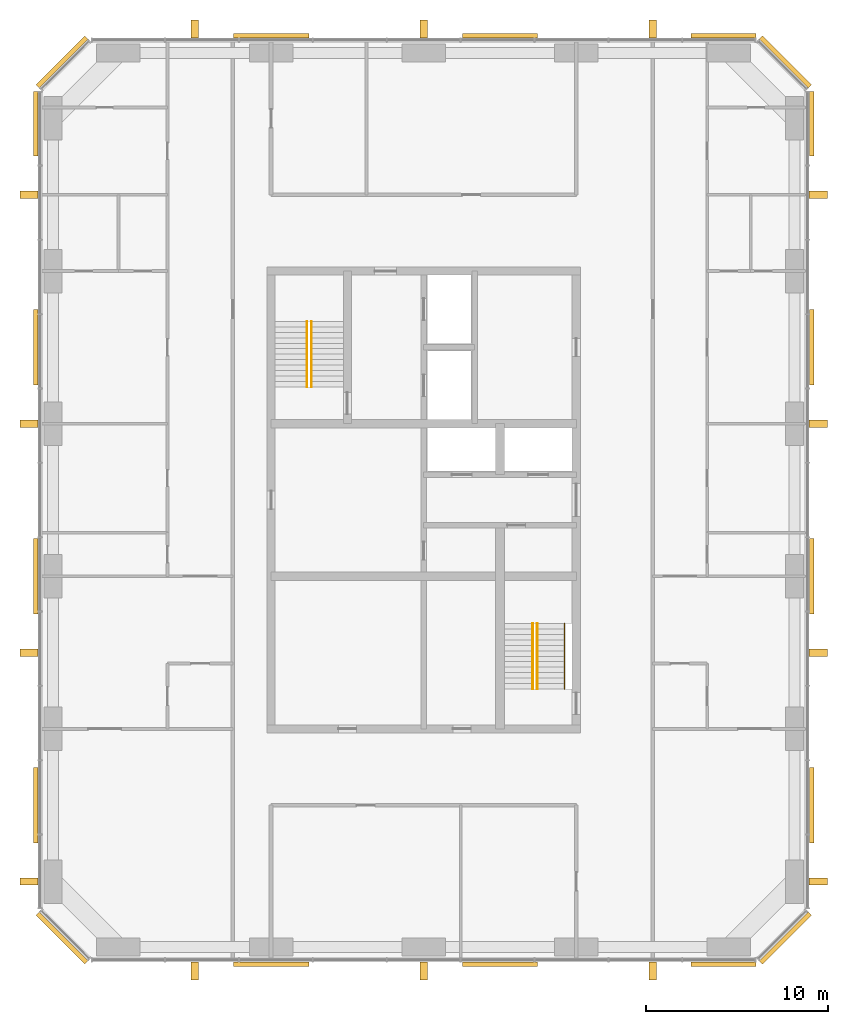
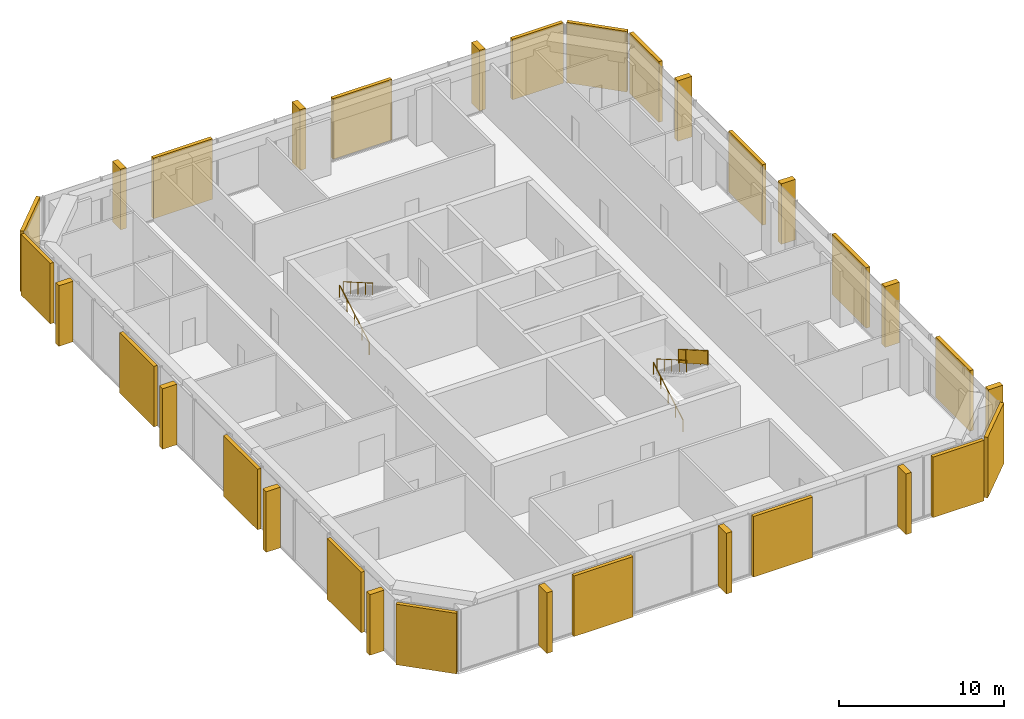
# One storey, part 10 of 10: 18 coverings, 14 shading devices, 5 railings.
"""IFC4 building model written with IfcOpenShell, lengths in metres."""

from ifc_helpers import new_model, si_unit, direction, frame, origin, origin_2d, place, context, subcontext, project, spatial, polyline, rectangle, circle, outline, extrude, material, layer, layer_set, type_object, element, save


model = new_model("IFC4")

# Units and contexts
model_context = context("Model", 3, precision=1e-05, world=origin(), true_north=direction((0.0, 1.0)))
body_context = subcontext(model_context, "Body", "Model", "MODEL_VIEW")
ifc_project = project(units=[si_unit("LENGTHUNIT", "METRE"), si_unit("AREAUNIT", "SQUARE_METRE"), si_unit("VOLUMEUNIT", "CUBIC_METRE"), si_unit("PLANEANGLEUNIT", "RADIAN"), si_unit("MASSUNIT", "GRAM", prefix="KILO")], contexts=[model_context])

# Site, building, storey
site_placement = place(None, origin())
site = spatial("IfcSite", under=ifc_project, at=site_placement, CompositionType="ELEMENT")
building_placement = place(site_placement, origin())
building = spatial("IfcBuilding", under=site, at=building_placement, Name="Dunama Terrace Hotel", CompositionType="ELEMENT")
storey_placement = place(building_placement, frame((0.0, 0.0, 289.10009765625)))
storey = spatial("IfcBuildingStorey", under=building, at=storey_placement, Name="L74", CompositionType="ELEMENT", Elevation=289.10009765625)

# Railings
ifc_material_1 = material(Name="Stainless steel and laminated glass guard", Category="steel")
railing_type_1 = type_object("IfcRailingType", Name="Guard 1100", PredefinedType="GUARDRAIL", material=ifc_material_1)
railing_1_placement = place(storey_placement, frame((41.35009765625, 22.60009765625, 2.423095703125)))
element("IfcRailing", 1, at=railing_1_placement, inside=storey, type_object=railing_type_1, Name="Stair guard ST2 L74", PredefinedType="GUARDRAIL", context=body_context, shape_type="SweptSolid", body=[
    extrude(circle(Radius=0.02392578125, at=origin_2d()), frame((0.0, 0.0, 1.076171875), z_axis=(0.0, -0.866193409371, 0.499708892819), x_axis=(1.0, 0.0, 0.0)), (0.0, 0.0, 1.0), 4.15625),
    extrude(circle(Radius=0.02099609375, at=origin_2d()), origin(), (0.0, 0.0, 1.0), 1.052001953125),
    extrude(circle(Radius=0.02099609375, at=origin_2d()), frame((0.0, -0.89990234375, 0.519287109375)), (0.0, 0.0, 1.0), 1.052001953125),
    extrude(circle(Radius=0.02099609375, at=origin_2d()), frame((0.0, -1.800048828125, 1.03857421875)), (0.0, 0.0, 1.0), 1.052001953125),
    extrude(circle(Radius=0.02099609375, at=origin_2d()), frame((0.0, -2.7001953125, 1.5576171875)), (0.0, 0.0, 1.0), 1.052001953125),
    extrude(circle(Radius=0.02099609375, at=origin_2d()), frame((0.0, -3.60009765625, 2.076904296875)), (0.0, 0.0, 1.0), 1.052001953125),
    extrude(outline(polyline([(0.0048828125, 0.052978515625), (0.89501953125, 0.56640625), (0.89501953125, 1.592529296875), (0.0048828125, 1.078857421875), (0.0048828125, 0.052978515625)])), frame((0.0087890625, 0.0, 0.0), z_axis=(-1.0, 0.0, 0.0), x_axis=(0.0, -1.0, 0.0)), (0.0, 0.0, 1.0), 0.017578125),
    extrude(outline(polyline([(0.0048828125, 0.052978515625), (0.89501953125, 0.56640625), (0.89501953125, 1.592529296875), (0.0048828125, 1.078857421875), (0.0048828125, 0.052978515625)])), frame((0.0087890625, -0.89990234375, 0.519287109375), z_axis=(-1.0, 0.0, 0.0), x_axis=(0.0, -1.0, 0.0)), (0.0, 0.0, 1.0), 0.017578125),
    extrude(outline(polyline([(0.0048828125, 0.052978515625), (0.89501953125, 0.56640625), (0.89501953125, 1.592529296875), (0.0048828125, 1.078857421875), (0.0048828125, 0.052978515625)])), frame((0.0087890625, -1.800048828125, 1.03857421875), z_axis=(-1.0, 0.0, 0.0), x_axis=(0.0, -1.0, 0.0)), (0.0, 0.0, 1.0), 0.017578125),
    extrude(outline(polyline([(0.0048828125, 0.052978515625), (0.89501953125, 0.56640625), (0.89501953125, 1.592529296875), (0.0048828125, 1.078857421875), (0.0048828125, 0.052978515625)])), frame((0.0087890625, -2.7001953125, 1.5576171875), z_axis=(-1.0, 0.0, 0.0), x_axis=(0.0, -1.0, 0.0)), (0.0, 0.0, 1.0), 0.017578125),
])
ifc_material_2 = material(Name="Stainless steel handrail", Category="steel")
railing_type_2 = type_object("IfcRailingType", Name="Stair handrail 900", PredefinedType="HANDRAIL", material=ifc_material_2)
railing_2_placement = place(storey_placement, frame((27.175048828125, 35.625, 0.173095703125)))
element("IfcRailing", 2, at=railing_2_placement, inside=storey, type_object=railing_type_2, Name="Handrail ST1 L74", PredefinedType="HANDRAIL", context=body_context, shape_type="SweptSolid", body=[
    extrude(circle(Radius=0.02392578125, at=origin_2d()), frame((0.0, 0.0, 0.8759765625), z_axis=(0.0, 0.866193409371, 0.499708892819), x_axis=(-1.0, 0.0, 0.0)), (0.0, 0.0, 1.0), 4.15625),
    extrude(circle(Radius=0.02099609375, at=origin_2d()), origin(), (0.0, 0.0, 1.0), 0.851806640625),
    extrude(circle(Radius=0.02099609375, at=origin_2d()), frame((0.0, 0.89990234375, 0.519287109375)), (0.0, 0.0, 1.0), 0.851806640625),
    extrude(circle(Radius=0.02099609375, at=origin_2d()), frame((0.0, 1.800048828125, 1.03857421875)), (0.0, 0.0, 1.0), 0.851806640625),
    extrude(circle(Radius=0.02099609375, at=origin_2d()), frame((0.0, 2.7001953125, 1.5576171875)), (0.0, 0.0, 1.0), 0.851806640625),
    extrude(circle(Radius=0.02099609375, at=origin_2d()), frame((0.0, 3.60009765625, 2.076904296875)), (0.0, 0.0, 1.0), 0.851806640625),
])
railing_3_placement = place(storey_placement, frame((27.425048828125, 39.22509765625, 2.423095703125)))
element("IfcRailing", 3, at=railing_3_placement, inside=storey, type_object=railing_type_2, Name="Handrail ST1 L74", PredefinedType="HANDRAIL", context=body_context, shape_type="SweptSolid", body=[
    extrude(circle(Radius=0.02392578125, at=origin_2d()), frame((0.0, 0.0, 0.8759765625), z_axis=(0.0, -0.866193409371, 0.499708892819), x_axis=(1.0, 0.0, 0.0)), (0.0, 0.0, 1.0), 4.15625),
    extrude(circle(Radius=0.02099609375, at=origin_2d()), origin(), (0.0, 0.0, 1.0), 0.851806640625),
    extrude(circle(Radius=0.02099609375, at=origin_2d()), frame((0.0, -0.89990234375, 0.519287109375)), (0.0, 0.0, 1.0), 0.851806640625),
    extrude(circle(Radius=0.02099609375, at=origin_2d()), frame((0.0, -1.800048828125, 1.03857421875)), (0.0, 0.0, 1.0), 0.851806640625),
    extrude(circle(Radius=0.02099609375, at=origin_2d()), frame((0.0, -2.7001953125, 1.5576171875)), (0.0, 0.0, 1.0), 0.851806640625),
    extrude(circle(Radius=0.02099609375, at=origin_2d()), frame((0.0, -3.60009765625, 2.076904296875)), (0.0, 0.0, 1.0), 0.851806640625),
])
railing_4_placement = place(storey_placement, frame((39.60009765625, 19.0, 0.173095703125)))
element("IfcRailing", 4, at=railing_4_placement, inside=storey, type_object=railing_type_2, Name="Handrail ST2 L74", PredefinedType="HANDRAIL", context=body_context, shape_type="SweptSolid", body=[
    extrude(circle(Radius=0.02392578125, at=origin_2d()), frame((0.0, 0.0, 0.8759765625), z_axis=(0.0, 0.866193409371, 0.499708892819), x_axis=(-1.0, 0.0, 0.0)), (0.0, 0.0, 1.0), 4.15625),
    extrude(circle(Radius=0.02099609375, at=origin_2d()), origin(), (0.0, 0.0, 1.0), 0.851806640625),
    extrude(circle(Radius=0.02099609375, at=origin_2d()), frame((0.0, 0.89990234375, 0.519287109375)), (0.0, 0.0, 1.0), 0.851806640625),
    extrude(circle(Radius=0.02099609375, at=origin_2d()), frame((0.0, 1.800048828125, 1.03857421875)), (0.0, 0.0, 1.0), 0.851806640625),
    extrude(circle(Radius=0.02099609375, at=origin_2d()), frame((0.0, 2.7001953125, 1.5576171875)), (0.0, 0.0, 1.0), 0.851806640625),
    extrude(circle(Radius=0.02099609375, at=origin_2d()), frame((0.0, 3.60009765625, 2.076904296875)), (0.0, 0.0, 1.0), 0.851806640625),
])
railing_5_placement = place(storey_placement, frame((39.85009765625, 22.60009765625, 2.423095703125)))
element("IfcRailing", 5, at=railing_5_placement, inside=storey, type_object=railing_type_2, Name="Handrail ST2 L74", PredefinedType="HANDRAIL", context=body_context, shape_type="SweptSolid", body=[
    extrude(circle(Radius=0.02392578125, at=origin_2d()), frame((0.0, 0.0, 0.8759765625), z_axis=(0.0, -0.866193409371, 0.499708892819), x_axis=(1.0, 0.0, 0.0)), (0.0, 0.0, 1.0), 4.15625),
    extrude(circle(Radius=0.02099609375, at=origin_2d()), origin(), (0.0, 0.0, 1.0), 0.851806640625),
    extrude(circle(Radius=0.02099609375, at=origin_2d()), frame((0.0, -0.89990234375, 0.519287109375)), (0.0, 0.0, 1.0), 0.851806640625),
    extrude(circle(Radius=0.02099609375, at=origin_2d()), frame((0.0, -1.800048828125, 1.03857421875)), (0.0, 0.0, 1.0), 0.851806640625),
    extrude(circle(Radius=0.02099609375, at=origin_2d()), frame((0.0, -2.7001953125, 1.5576171875)), (0.0, 0.0, 1.0), 0.851806640625),
    extrude(circle(Radius=0.02099609375, at=origin_2d()), frame((0.0, -3.60009765625, 2.076904296875)), (0.0, 0.0, 1.0), 0.851806640625),
])

# Coverings
ifc_material_3 = material(Name="Warm reconstituted stone panel", Category="masonry")
ifc_layer_1 = layer(ifc_material_3, 0.25)
ifc_layer_set_1 = layer_set([ifc_layer_1], Name="Stone diagonal panel")
covering_type = type_object("IfcCoveringType", Name="Stone diagonal panel", PredefinedType="CLADDING", material=ifc_layer_set_1)
for number, where, z_axis, x_axis, name in (
    (6, (25.199951171875, 3.8369140625, 0.001953125), (0.0, 0.0, 1.0), (1.0, 0.0, 0.0), "Stone diagonal panel L74"),
    (7, (37.800048828125, 3.8369140625, 0.001953125), (0.0, 0.0, 1.0), (1.0, 0.0, 0.0), "Stone diagonal panel L74"),
):
    element("IfcCovering", number, at=place(storey_placement, frame(where, z_axis=z_axis, x_axis=x_axis)), inside=storey, type_object=covering_type, Name=name, PredefinedType="CLADDING", context=body_context, shape_type="SweptSolid", body=[
        extrude(rectangle(XDim=4.14990234375, YDim=0.25, at=origin_2d()), origin(), (0.0, 0.0, 1.0), 4.49609375),
    ])
covering_1_placement = place(storey_placement, frame((50.110107421875, 3.8369140625, 0.001953125), z_axis=(0.0, 0.0, 1.0), x_axis=(1.0, 0.0, 0.0)))
element("IfcCovering", 8, at=covering_1_placement, inside=storey, type_object=covering_type, Name="Stone diagonal panel L74", PredefinedType="CLADDING", context=body_context, shape_type="SweptSolid", body=[
    extrude(rectangle(XDim=3.570068359375, YDim=0.25, at=origin_2d()), origin(), (0.0, 0.0, 1.0), 4.49609375),
])
covering_2_placement = place(storey_placement, frame((53.507080078125, 5.29296875, 0.001953125), z_axis=(0.0, 0.0, 1.0), x_axis=(0.707106781187, 0.707106781187, 0.0)))
element("IfcCovering", 9, at=covering_2_placement, inside=storey, type_object=covering_type, Name="Stone diagonal panel L74", PredefinedType="CLADDING", context=body_context, shape_type="SweptSolid", body=[
    extrude(rectangle(XDim=3.808349609375, YDim=0.25, at=origin_2d()), origin(), (0.0, 0.0, 1.0), 4.49609375),
])
for number, where, z_axis, x_axis, name in (
    (10, (54.962890625, 12.60009765625, 0.001953125), (0.0, 0.0, 1.0), (0.0, 1.0, 0.0), "Stone diagonal panel L74"),
    (11, (54.962890625, 25.199951171875, 0.001953125), (0.0, 0.0, 1.0), (0.0, 1.0, 0.0), "Stone diagonal panel L74"),
    (12, (54.962890625, 37.800048828125, 0.001953125), (0.0, 0.0, 1.0), (0.0, 1.0, 0.0), "Stone diagonal panel L74"),
):
    element("IfcCovering", number, at=place(storey_placement, frame(where, z_axis=z_axis, x_axis=x_axis)), inside=storey, type_object=covering_type, Name=name, PredefinedType="CLADDING", context=body_context, shape_type="SweptSolid", body=[
        extrude(rectangle(XDim=4.14990234375, YDim=0.25, at=origin_2d()), origin(), (0.0, 0.0, 1.0), 4.49609375),
    ])
covering_3_placement = place(storey_placement, frame((54.962890625, 50.110107421875, 0.001953125), z_axis=(0.0, 0.0, 1.0), x_axis=(0.0, 1.0, 0.0)))
element("IfcCovering", 13, at=covering_3_placement, inside=storey, type_object=covering_type, Name="Stone diagonal panel L74", PredefinedType="CLADDING", context=body_context, shape_type="SweptSolid", body=[
    extrude(rectangle(XDim=3.570068359375, YDim=0.25, at=origin_2d()), origin(), (0.0, 0.0, 1.0), 4.49609375),
])
covering_4_placement = place(storey_placement, frame((53.507080078125, 53.507080078125, 0.001953125), z_axis=(0.0, 0.0, 1.0), x_axis=(-0.707106781187, 0.707106781187, 0.0)))
element("IfcCovering", 14, at=covering_4_placement, inside=storey, type_object=covering_type, Name="Stone diagonal panel L74", PredefinedType="CLADDING", context=body_context, shape_type="SweptSolid", body=[
    extrude(rectangle(XDim=3.808349609375, YDim=0.25, at=origin_2d()), origin(), (0.0, 0.0, 1.0), 4.49609375),
])
covering_5_placement = place(storey_placement, frame((50.110107421875, 54.962890625, 0.001953125), z_axis=(0.0, 0.0, 1.0), x_axis=(-1.0, 0.0, 0.0)))
element("IfcCovering", 15, at=covering_5_placement, inside=storey, type_object=covering_type, Name="Stone diagonal panel L74", PredefinedType="CLADDING", context=body_context, shape_type="SweptSolid", body=[
    extrude(rectangle(XDim=3.570068359375, YDim=0.25, at=origin_2d()), origin(), (0.0, 0.0, 1.0), 4.49609375),
])
for number, where, z_axis, x_axis, name in (
    (16, (37.800048828125, 54.962890625, 0.001953125), (0.0, 0.0, 1.0), (-1.0, 0.0, 0.0), "Stone diagonal panel L74"),
    (17, (25.199951171875, 54.962890625, 0.001953125), (0.0, 0.0, 1.0), (-1.0, 0.0, 0.0), "Stone diagonal panel L74"),
):
    element("IfcCovering", number, at=place(storey_placement, frame(where, z_axis=z_axis, x_axis=x_axis)), inside=storey, type_object=covering_type, Name=name, PredefinedType="CLADDING", context=body_context, shape_type="SweptSolid", body=[
        extrude(rectangle(XDim=4.14990234375, YDim=0.25, at=origin_2d()), origin(), (0.0, 0.0, 1.0), 4.49609375),
    ])
covering_6_placement = place(storey_placement, frame((13.693115234375, 53.507080078125, 0.001953125), z_axis=(0.0, 0.0, 1.0), x_axis=(-0.707106781187, -0.707106781187, 0.0)))
element("IfcCovering", 18, at=covering_6_placement, inside=storey, type_object=covering_type, Name="Stone diagonal panel L74", PredefinedType="CLADDING", context=body_context, shape_type="SweptSolid", body=[
    extrude(rectangle(XDim=3.808349609375, YDim=0.25, at=origin_2d()), origin(), (0.0, 0.0, 1.0), 4.49609375),
])
covering_7_placement = place(storey_placement, frame((12.237060546875, 50.110107421875, 0.001953125), z_axis=(0.0, 0.0, 1.0), x_axis=(0.0, -1.0, 0.0)))
element("IfcCovering", 19, at=covering_7_placement, inside=storey, type_object=covering_type, Name="Stone diagonal panel L74", PredefinedType="CLADDING", context=body_context, shape_type="SweptSolid", body=[
    extrude(rectangle(XDim=3.570068359375, YDim=0.25, at=origin_2d()), origin(), (0.0, 0.0, 1.0), 4.49609375),
])
for number, where, z_axis, x_axis, name in (
    (20, (12.237060546875, 37.800048828125, 0.001953125), (0.0, 0.0, 1.0), (0.0, -1.0, 0.0), "Stone diagonal panel L74"),
    (21, (12.237060546875, 25.199951171875, 0.001953125), (0.0, 0.0, 1.0), (0.0, -1.0, 0.0), "Stone diagonal panel L74"),
    (22, (12.237060546875, 12.60009765625, 0.001953125), (0.0, 0.0, 1.0), (0.0, -1.0, 0.0), "Stone diagonal panel L74"),
):
    element("IfcCovering", number, at=place(storey_placement, frame(where, z_axis=z_axis, x_axis=x_axis)), inside=storey, type_object=covering_type, Name=name, PredefinedType="CLADDING", context=body_context, shape_type="SweptSolid", body=[
        extrude(rectangle(XDim=4.14990234375, YDim=0.25, at=origin_2d()), origin(), (0.0, 0.0, 1.0), 4.49609375),
    ])
covering_8_placement = place(storey_placement, frame((13.693115234375, 5.29296875, 0.001953125), z_axis=(0.0, 0.0, 1.0), x_axis=(0.707106781187, -0.707106781187, 0.0)))
element("IfcCovering", 23, at=covering_8_placement, inside=storey, type_object=covering_type, Name="Stone diagonal panel L74", PredefinedType="CLADDING", context=body_context, shape_type="SweptSolid", body=[
    extrude(rectangle(XDim=3.808349609375, YDim=0.25, at=origin_2d()), origin(), (0.0, 0.0, 1.0), 4.49609375),
])

# Shading devices
ifc_material_4 = material(Name="Warm reconstituted stone fin", Category="masonry")
ifc_layer_2 = layer(ifc_material_4, 0.39990234375)
ifc_layer_set_2 = layer_set([ifc_layer_2], Name="Warm stone fin 400x1000")
shading_device_type = type_object("IfcShadingDeviceType", Name="Warm stone fin 400x1000", PredefinedType="USERDEFINED", material=ifc_layer_set_2)
for number, where, z_axis, x_axis, name in (
    (24, (21.0, 3.48193359375, 0.0), (0.0, 0.0, 1.0), (1.0, 0.0, 0.0), "Stone fin"),
    (25, (33.60009765625, 3.48193359375, 0.0), (0.0, 0.0, 1.0), (1.0, 0.0, 0.0), "Stone fin"),
    (26, (46.199951171875, 3.48193359375, 0.0), (0.0, 0.0, 1.0), (1.0, 0.0, 0.0), "Stone fin"),
    (27, (55.318115234375, 8.39990234375, 0.0), (0.0, 0.0, 1.0), (0.0, 1.0, 0.0), "Stone fin"),
    (28, (55.318115234375, 21.0, 0.0), (0.0, 0.0, 1.0), (0.0, 1.0, 0.0), "Stone fin"),
    (29, (55.318115234375, 33.60009765625, 0.0), (0.0, 0.0, 1.0), (0.0, 1.0, 0.0), "Stone fin"),
    (30, (55.318115234375, 46.199951171875, 0.0), (0.0, 0.0, 1.0), (0.0, 1.0, 0.0), "Stone fin"),
    (31, (46.199951171875, 55.318115234375, 0.0), (0.0, 0.0, 1.0), (-1.0, 0.0, 0.0), "Stone fin"),
    (32, (33.60009765625, 55.318115234375, 0.0), (0.0, 0.0, 1.0), (-1.0, 0.0, 0.0), "Stone fin"),
    (33, (21.0, 55.318115234375, 0.0), (0.0, 0.0, 1.0), (-1.0, 0.0, 0.0), "Stone fin"),
    (34, (11.882080078125, 46.199951171875, 0.0), (0.0, 0.0, 1.0), (0.0, -1.0, 0.0), "Stone fin"),
    (35, (11.882080078125, 33.60009765625, 0.0), (0.0, 0.0, 1.0), (0.0, -1.0, 0.0), "Stone fin"),
    (36, (11.882080078125, 21.0, 0.0), (0.0, 0.0, 1.0), (0.0, -1.0, 0.0), "Stone fin"),
    (37, (11.882080078125, 8.39990234375, 0.0), (0.0, 0.0, 1.0), (0.0, -1.0, 0.0), "Stone fin"),
):
    element("IfcShadingDevice", number, at=place(storey_placement, frame(where, z_axis=z_axis, x_axis=x_axis)), inside=storey, type_object=shading_device_type, Name=name, ObjectType="FIN", PredefinedType="USERDEFINED", context=body_context, shape_type="SweptSolid", body=[
        extrude(rectangle(XDim=0.39990234375, YDim=1.0, at=origin_2d()), origin(), (0.0, 0.0, 1.0), 4.5),
    ])

save(model, "model.ifc")
